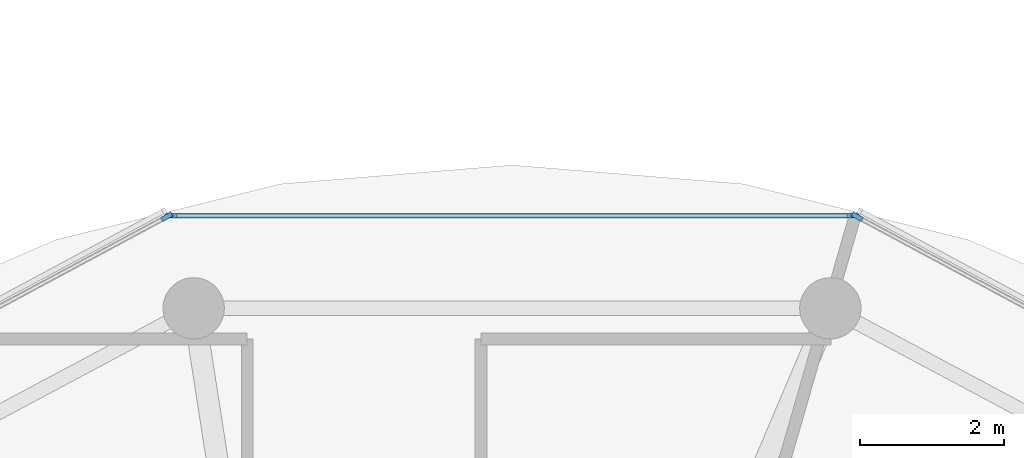
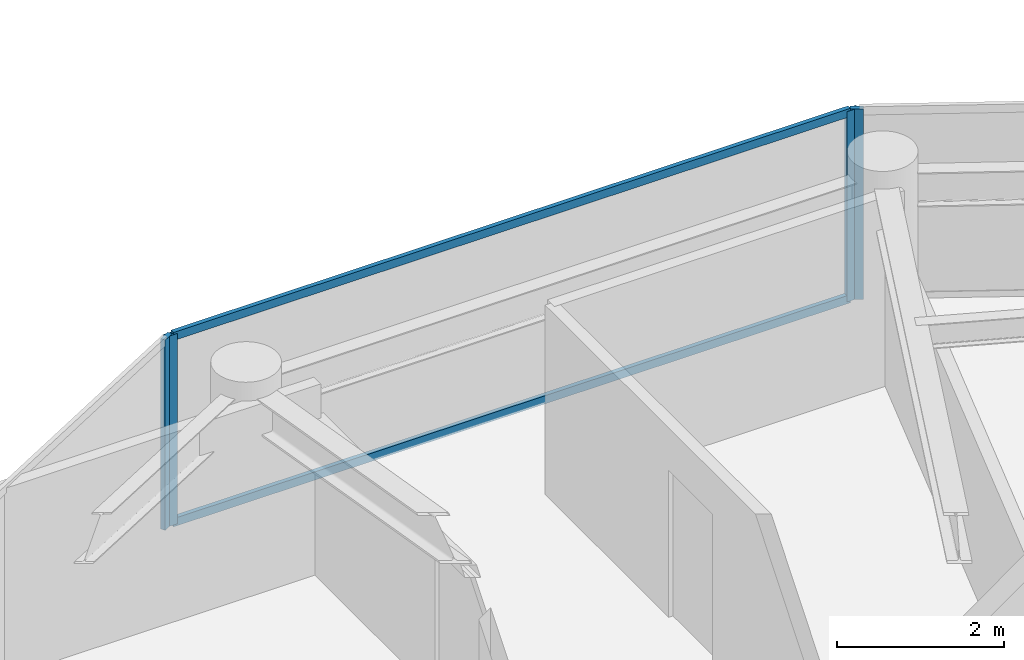
# One storey, part 9 of 22: 6 members, 3 elements without a shape of their own.
"""IFC4 building model written with IfcOpenShell, lengths in metres."""

from ifc_helpers import new_model, si_unit, direction, frame, origin, origin_2d, place, context, subcontext, project, spatial, rectangle, extrude, source, transform, mapped, material, layer, layer_set, material_profile, profile_set, type_object, type_shapes, element, aggregate, save


model = new_model("IFC4")

# Units and contexts
model_context = context("Model", 3, precision=1e-05, world=origin(), true_north=direction((0.0, 1.0)))
body_context = subcontext(model_context, "Body", "Model", "MODEL_VIEW")
ifc_project = project(units=[si_unit("LENGTHUNIT", "METRE"), si_unit("AREAUNIT", "SQUARE_METRE"), si_unit("VOLUMEUNIT", "CUBIC_METRE"), si_unit("PLANEANGLEUNIT", "RADIAN"), si_unit("MASSUNIT", "GRAM", prefix="KILO")], contexts=[model_context])

# Site, building, storey
site_placement = place(None, origin())
site = spatial("IfcSite", under=ifc_project, at=site_placement, CompositionType="ELEMENT")
building_placement = place(site_placement, origin())
building = spatial("IfcBuilding", under=site, at=building_placement, Name="Norrkilde Senior Care Towers", CompositionType="ELEMENT")
storey_placement = place(building_placement, frame((0.0, 0.0, 120.64990234375)))
storey = spatial("IfcBuildingStorey", under=building, at=storey_placement, Name="L37", CompositionType="ELEMENT", Elevation=120.64990234375)

# Curtain wall, member
ifc_material_1 = material(Name="Triple Low-E Insulated Glazing", Category="glass")
ifc_layer = layer(ifc_material_1, 0.195068359375)
ifc_layer_set = layer_set([ifc_layer], Name="Triple Low-E Insulated Glazing")
curtain_wall_type = type_object("IfcCurtainWallType", Name="CW3 Zone 2 Assisted Living Curtain Wall", PredefinedType="NOTDEFINED", material=ifc_layer_set)
curtain_wall_1_placement = place(storey_placement, origin())
curtain_wall_1 = element("IfcCurtainWall", 1, at=curtain_wall_1_placement, inside=storey, type_object=curtain_wall_type, Name="L37 Drum W Curtain Wall 01", PredefinedType="NOTDEFINED")
ifc_material_2 = material(Name="Anodised Aluminium", Category="aluminium")
ifc_material_profile_1 = material_profile(ifc_material_2, rectangle(XDim=0.06494140625, YDim=0.159912109375, at=origin_2d()), Name="ALU MULL 65x160")
ifc_profile_set_1 = profile_set([ifc_material_profile_1], Name="Anodised Aluminium")
member_type_1 = type_object("IfcMemberType", Name="Curtain Wall Mullion Z1-Z2 65x160", PredefinedType="MULLION", material=ifc_profile_set_1)
shared_shape_1 = source(origin(), body_context, "Body", "SweptSolid", [
    extrude(rectangle(XDim=0.06494140625, YDim=0.159912109375, at=origin_2d()), origin(), (0.0, 0.0, 1.0), 2.7900390625),
])
type_shapes(member_type_1, [shared_shape_1])
member_1_placement = place(storey_placement, frame((-21.164306640625, 16.482666015625, 0.0), z_axis=(0.0, 0.0, 1.0), x_axis=(0.472769402511, 0.881186184668, 0.0)))
member_1 = element("IfcMember", 2, at=member_1_placement, type_object=member_type_1, Name="CW-3 mullion 1", PredefinedType="MULLION", context=body_context, shape_type="MappedRepresentation", body=[
    mapped(shared_shape_1, transform((0.0, 0.0, 0.0), x_axis=(1.0, 0.0, 0.0), y_axis=(0.0, 1.0, 0.0), z_axis=(0.0, 0.0, 1.0), scale=1.0)),
])
aggregate(curtain_wall_1, [member_1])

# Curtain wall, members
curtain_wall_2_placement = place(storey_placement, origin())
curtain_wall_2 = element("IfcCurtainWall", 3, at=curtain_wall_2_placement, inside=storey, type_object=curtain_wall_type, Name="L37 Drum W Curtain Wall 02", PredefinedType="NOTDEFINED")
member_2_placement = place(storey_placement, frame((-30.674560546875, 16.498046875, 0.0), z_axis=(0.0, 0.0, 1.0), x_axis=(0.0, 1.0, 0.0)))
member_2 = element("IfcMember", 4, at=member_2_placement, type_object=member_type_1, Name="CW-3 mullion 1", PredefinedType="MULLION", context=body_context, shape_type="MappedRepresentation", body=[
    mapped(shared_shape_1, transform((0.0, 0.0, 0.0), x_axis=(1.0, 0.0, 0.0), y_axis=(0.0, 1.0, 0.0), z_axis=(0.0, 0.0, 1.0), scale=1.0)),
])
member_3_placement = place(storey_placement, frame((-21.225341796875, 16.498046875, 0.0), z_axis=(0.0, 0.0, 1.0), x_axis=(0.0, 1.0, 0.0)))
member_3 = element("IfcMember", 5, at=member_3_placement, type_object=member_type_1, Name="CW-3 mullion 2", PredefinedType="MULLION", context=body_context, shape_type="MappedRepresentation", body=[
    mapped(shared_shape_1, transform((0.0, 0.0, 0.0), x_axis=(1.0, 0.0, 0.0), y_axis=(0.0, 1.0, 0.0), z_axis=(0.0, 0.0, 1.0), scale=1.0)),
])

# Curtain wall, member
curtain_wall_3_placement = place(storey_placement, origin())
curtain_wall_3 = element("IfcCurtainWall", 6, at=curtain_wall_3_placement, inside=storey, type_object=curtain_wall_type, Name="L37 Drum W Curtain Wall 03", PredefinedType="NOTDEFINED")
member_4_placement = place(storey_placement, frame((-30.73583984375, 16.482666015625, 0.0), z_axis=(0.0, 0.0, 1.0), x_axis=(-0.472769402511, 0.881186184668, 0.0)))
member_4 = element("IfcMember", 7, at=member_4_placement, type_object=member_type_1, Name="CW-3 mullion 2", PredefinedType="MULLION", context=body_context, shape_type="MappedRepresentation", body=[
    mapped(shared_shape_1, transform((0.0, 0.0, 0.0), x_axis=(1.0, 0.0, 0.0), y_axis=(0.0, 1.0, 0.0), z_axis=(0.0, 0.0, 1.0), scale=1.0)),
])
aggregate(curtain_wall_3, [member_4])

# Member
ifc_material_profile_2 = material_profile(ifc_material_2, rectangle(XDim=0.06005859375, YDim=0.1201171875, at=origin_2d()), Name="ALU TRAN 60x120")
ifc_profile_set_2 = profile_set([ifc_material_profile_2], Name="Anodised Aluminium")
member_type_2 = type_object("IfcMemberType", Name="Curtain Wall Transom Typical 60x120", PredefinedType="USERDEFINED", material=ifc_profile_set_2)
shared_shape_2 = source(origin(), body_context, "Body", "SweptSolid", [
    extrude(rectangle(XDim=0.06005859375, YDim=0.1201171875, at=origin_2d()), origin(), (0.0, 0.0, 1.0), 9.38427734375),
])
type_shapes(member_type_2, [shared_shape_2])
member_5_placement = place(storey_placement, frame((-30.64208984375, 16.498046875, 0.030029296875), z_axis=(1.0, 0.0, 0.0), x_axis=(0.0, 1.0, 0.0)))
member_5 = element("IfcMember", 8, at=member_5_placement, type_object=member_type_2, Name="CW-3 transom 1.1", ObjectType="TRANSOM", PredefinedType="USERDEFINED", context=body_context, shape_type="MappedRepresentation", body=[
    mapped(shared_shape_2, transform((0.0, 0.0, 0.0), x_axis=(1.0, 0.0, 0.0), y_axis=(0.0, 1.0, 0.0), z_axis=(0.0, 0.0, 1.0), scale=1.0)),
])

member_6_placement = place(storey_placement, frame((-30.64208984375, 16.498046875, 2.760009765625), z_axis=(1.0, 0.0, 0.0), x_axis=(0.0, 1.0, 0.0)))
member_6 = element("IfcMember", 9, at=member_6_placement, type_object=member_type_2, Name="CW-3 transom 1.2", ObjectType="TRANSOM", PredefinedType="USERDEFINED", context=body_context, shape_type="MappedRepresentation", body=[
    mapped(shared_shape_2, transform((0.0, 0.0, 0.0), x_axis=(1.0, 0.0, 0.0), y_axis=(0.0, 1.0, 0.0), z_axis=(0.0, 0.0, 1.0), scale=1.0)),
])

aggregate(curtain_wall_2, [member_2, member_3, member_5, member_6])

save(model, "model.ifc")
